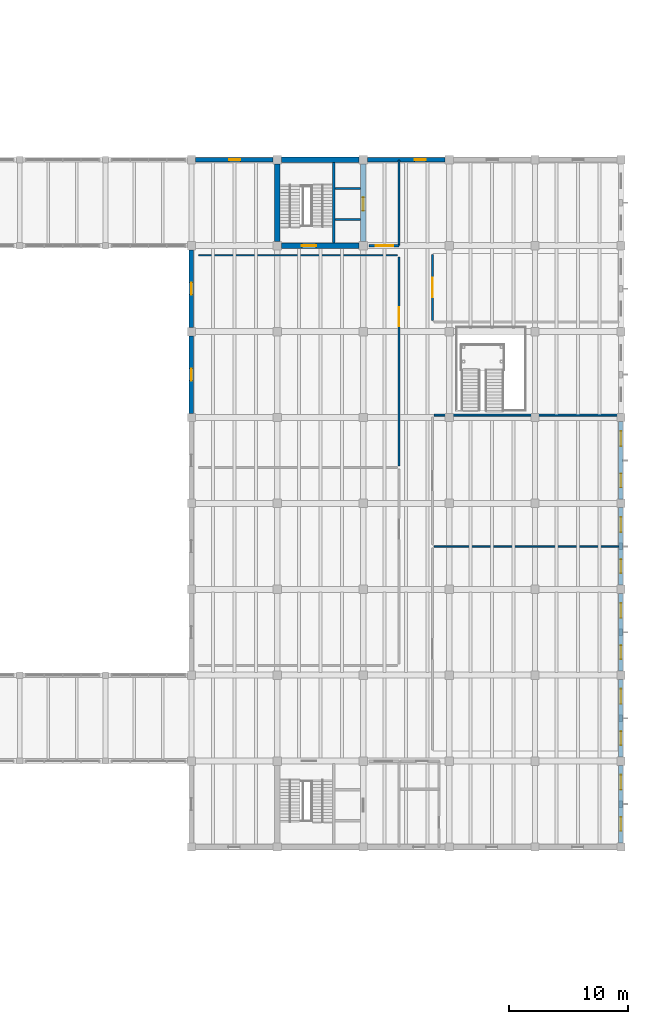
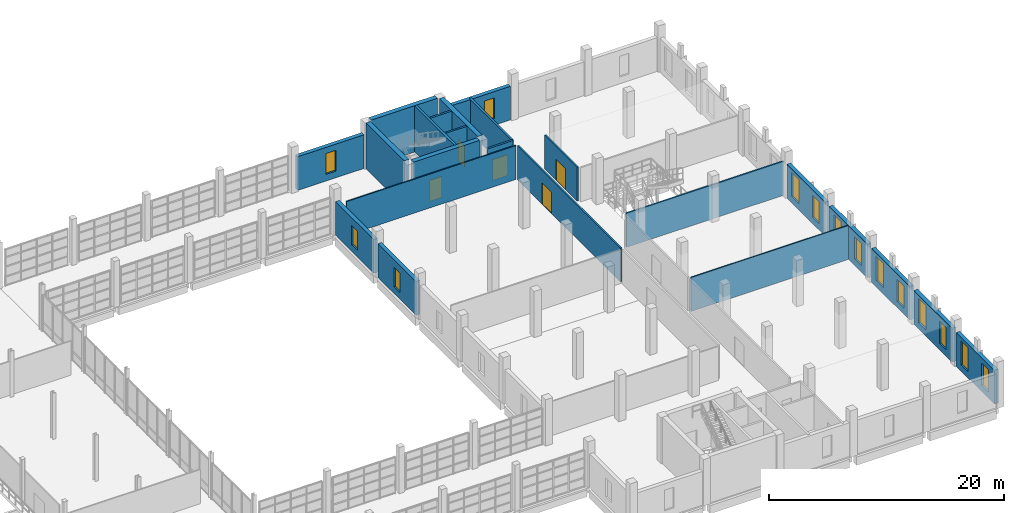
# One storey, part 70 of 77: 23 walls, 14 windows, 5 doors, 19 openings.
"""IFC4 building model written with IfcOpenShell, lengths in metres."""

from ifc_helpers import new_model, si_unit, direction, frame, frame_2d, origin, place, context, subcontext, project, spatial, rectangle, extrude, material, layer, layer_set, type_object, element, fill, save


model = new_model("IFC4")

# Units and contexts
model_context = context("Model", 3, precision=1e-05, world=origin(), true_north=direction((0.0, 1.0)))
body_context = subcontext(model_context, "Body", "Model", "MODEL_VIEW")
ifc_project = project(units=[si_unit("LENGTHUNIT", "METRE"), si_unit("AREAUNIT", "SQUARE_METRE"), si_unit("VOLUMEUNIT", "CUBIC_METRE"), si_unit("PLANEANGLEUNIT", "RADIAN"), si_unit("MASSUNIT", "GRAM", prefix="KILO")], contexts=[model_context])

# Site, building, storey
site_placement = place(None, origin())
site = spatial("IfcSite", under=ifc_project, at=site_placement, CompositionType="ELEMENT")
building_placement = place(site_placement, origin())
building = spatial("IfcBuilding", under=site, at=building_placement, Name="Qiaolan Assembly House", CompositionType="ELEMENT")
storey_placement = place(building_placement, frame((0.0, 0.0, 5.39990234375)))
storey = spatial("IfcBuildingStorey", under=building, at=storey_placement, Name="L01", CompositionType="ELEMENT", Elevation=5.39990234375)

# Wall, opening, door
ifc_material_1 = material(Name="Concrete C50/60", Category="concrete")
ifc_layer_1 = layer(ifc_material_1, 0.449951171875)
ifc_layer_set_1 = layer_set([ifc_layer_1], Name="Concrete C50/60")
wall_type_1 = type_object("IfcWallType", Name="WAL-CORE-450", PredefinedType="SHEAR", material=ifc_layer_set_1)
wall_1_placement = place(storey_placement, frame((144.35009765625, 79.199951171875, 0.0), z_axis=(0.0, 0.0, 1.0), x_axis=(1.0, 0.0, 0.0)))
wall_1 = element("IfcWall", 1, at=wall_1_placement, inside=storey, type_object=wall_type_1, Name="CW-450 shear core wall CORE-F S L01", PredefinedType="SHEAR", context=body_context, shape_type="SweptSolid", body=[
    extrude(rectangle(XDim=6.5, YDim=0.449951171875, at=frame_2d((3.25, 0.0))), origin(), (0.0, 0.0, 1.0), 4.800048828125),
])
opening_1_placement = place(wall_1_placement, frame((1.699951171875, 0.0, 0.0)))
opening_1 = element("IfcOpeningElement", 2, at=opening_1_placement, cuts=wall_1, Name="Opening FD-129", PredefinedType="OPENING", context=body_context, shape_type="SweptSolid", body=[
    extrude(rectangle(XDim=1.199951171875, YDim=2.199951171875, at=frame_2d((0.60009765625, 1.10009765625))), frame((0.0, 0.23486328125, 0.0), z_axis=(0.0, -1.0, 0.0), x_axis=(1.0, 0.0, 0.0)), (0.0, 0.0, 1.0), 0.469970703125),
])
ifc_material_2 = material(Name="Steel Q355B", Category="steel")
door_type_1 = type_object("IfcDoorType", Name="DOR-FIRE-FD90-1200", OperationType="NOTDEFINED", PredefinedType="DOOR", material=ifc_material_2)
door_1_placement = place(opening_1_placement, frame((1.199951171875, 0.0, 0.0), z_axis=(0.0, 0.0, 1.0), x_axis=(-1.0, 0.0, 0.0)))
door_1 = element("IfcDoor", 3, at=door_1_placement, inside=storey, type_object=door_type_1, Name="Stairwell fire door FD-129 (CORE-F L01)", OperationType="SINGLE_SWING_RIGHT", OverallHeight=2.199951171875, OverallWidth=1.199951171875, PredefinedType="DOOR", context=body_context, shape_type="SweptSolid", body=[
    extrude(rectangle(XDim=1.199951171875, YDim=2.199951171875, at=frame_2d((0.60009765625, 1.10009765625))), frame((0.0, 0.02490234375, 0.0), z_axis=(0.0, -1.0, 0.0), x_axis=(1.0, 0.0, 0.0)), (0.0, 0.0, 1.0), 0.050048828125),
])
fill(opening_1, door_1)

wall_2_placement = place(storey_placement, frame((151.199951171875, 79.550048828125, 0.0), z_axis=(0.0, 0.0, 1.0), x_axis=(0.0, 1.0, 0.0)))
wall_2 = element("IfcWall", 4, at=wall_2_placement, inside=storey, type_object=wall_type_1, Name="CW-450 shear core wall CORE-F E L01", PredefinedType="SHEAR", context=body_context, shape_type="SweptSolid", body=[
    extrude(rectangle(XDim=6.5, YDim=0.449951171875, at=frame_2d((3.25, 0.0))), origin(), (0.0, 0.0, 1.0), 4.800048828125),
])
opening_2_placement = place(wall_2_placement, frame((2.60009765625, 0.0, 0.0)))
opening_2 = element("IfcOpeningElement", 5, at=opening_2_placement, cuts=wall_2, Name="Opening LD-071", PredefinedType="OPENING", context=body_context, shape_type="SweptSolid", body=[
    extrude(rectangle(XDim=1.10009765625, YDim=2.199951171875, at=frame_2d((0.550048828125, 1.10009765625))), frame((0.0, 0.23486328125, 0.0), z_axis=(0.0, -1.0, 0.0), x_axis=(1.0, 0.0, 0.0)), (0.0, 0.0, 1.0), 0.469970703125),
])
ifc_material_3 = material(Name="Anodised bronze aluminium", Category="aluminium")
door_type_2 = type_object("IfcDoorType", Name="DOR-LIFT-LD1100", OperationType="SLIDING_TO_LEFT", PredefinedType="DOOR", material=ifc_material_3)
door_2_placement = place(opening_2_placement, origin())
door_2 = element("IfcDoor", 6, at=door_2_placement, inside=storey, type_object=door_type_2, Name="Lift landing door LD-071 (LF-10 L01)", OperationType="SLIDING_TO_LEFT", OverallHeight=2.199951171875, OverallWidth=1.10009765625, PredefinedType="DOOR", context=body_context, shape_type="SweptSolid", body=[
    extrude(rectangle(XDim=1.10009765625, YDim=2.199951171875, at=frame_2d((0.550048828125, 1.10009765625))), frame((0.0, 0.02490234375, 0.0), z_axis=(0.0, -1.0, 0.0), x_axis=(1.0, 0.0, 0.0)), (0.0, 0.0, 1.0), 0.050048828125),
])
fill(opening_2, door_2)

# Walls
for number, where, z_axis, x_axis, name in (
    (7, (150.85009765625, 86.39990234375, 0.0), (0.0, 0.0, 1.0), (-1.0, 0.0, 0.0), "CW-450 shear core wall CORE-F N L01"),
    (8, (144.0, 86.050048828125, 0.0), (0.0, 0.0, 1.0), (0.0, -1.0, 0.0), "CW-450 shear core wall CORE-F W L01"),
):
    element("IfcWall", number, at=place(storey_placement, frame(where, z_axis=z_axis, x_axis=x_axis)), inside=storey, type_object=wall_type_1, Name=name, PredefinedType="SHEAR", context=body_context, shape_type="SweptSolid", body=[
        extrude(rectangle(XDim=6.5, YDim=0.449951171875, at=frame_2d((3.25, 0.0))), origin(), (0.0, 0.0, 1.0), 4.800048828125),
    ])

# Wall, openings, windows
ifc_material_4 = material(Name="Honed pale limestone", Category="masonry")
ifc_layer_2 = layer(ifc_material_4, 0.3798828125)
ifc_layer_set_2 = layer_set([ifc_layer_2], Name="Honed pale limestone")
wall_type_2 = type_object("IfcWallType", Name="WAL-EXT-LIB-380", PredefinedType="SOLIDWALL", material=ifc_layer_set_2)
wall_3_placement = place(storey_placement, frame((172.800048828125, 35.652099609375, 0.0), z_axis=(0.0, 0.0, 1.0), x_axis=(0.0, -1.0, 0.0)))
wall_3 = element("IfcWall", 9, at=wall_3_placement, inside=storey, type_object=wall_type_2, Name="Library East avenue wall L01-1", PredefinedType="SOLIDWALL", context=body_context, shape_type="SweptSolid", body=[
    extrude(rectangle(XDim=6.504150390625, YDim=0.3798828125, at=frame_2d((3.251953125, 0.0))), origin(), (0.0, 0.0, 1.0), 3.5),
])
opening_3_placement = place(wall_3_placement, frame((0.802001953125, 0.0, 0.64990234375)))
opening_3 = element("IfcOpeningElement", 10, at=opening_3_placement, cuts=wall_3, Name="Opening WN-426", PredefinedType="OPENING", context=body_context, shape_type="SweptSolid", body=[
    extrude(rectangle(XDim=1.25, YDim=2.5, at=frame_2d((0.625, 1.25))), frame((0.0, 0.199951171875, 0.0), z_axis=(0.0, -1.0, 0.0), x_axis=(1.0, 0.0, 0.0)), (0.0, 0.0, 1.0), 0.39990234375),
])
opening_4_placement = place(wall_3_placement, frame((4.35205078125, 0.0, 0.64990234375)))
opening_4 = element("IfcOpeningElement", 11, at=opening_4_placement, cuts=wall_3, Name="Opening WN-427", PredefinedType="OPENING", context=body_context, shape_type="SweptSolid", body=[
    extrude(rectangle(XDim=1.14990234375, YDim=2.300048828125, at=frame_2d((0.574951171875, 1.14990234375))), frame((0.0, 0.199951171875, 0.0), z_axis=(0.0, -1.0, 0.0), x_axis=(1.0, 0.0, 0.0)), (0.0, 0.0, 1.0), 0.39990234375),
])
ifc_material_5 = material(Name="Low-E double insulating glass", Category="glass")
window_type_1 = type_object("IfcWindowType", Name="WIN-LIB-1250x2500", PartitioningType="DOUBLE_PANEL_VERTICAL", PredefinedType="WINDOW", material=ifc_material_5)
window_1_placement = place(opening_3_placement, origin())
window_1 = element("IfcWindow", 12, at=window_1_placement, inside=storey, type_object=window_type_1, Name="Library reading window WN-426", OverallHeight=2.5, OverallWidth=1.25, PartitioningType="DOUBLE_PANEL_VERTICAL", PredefinedType="WINDOW", context=body_context, shape_type="SweptSolid", body=[
    extrude(rectangle(XDim=1.25, YDim=2.5, at=frame_2d((0.625, 1.25))), frame((0.0, 0.030029296875, 0.0), z_axis=(0.0, -1.0, 0.0), x_axis=(1.0, 0.0, 0.0)), (0.0, 0.0, 1.0), 0.06005859375),
])
fill(opening_3, window_1)
window_type_2 = type_object("IfcWindowType", Name="WIN-LIB-CARREL-1150x2300", PartitioningType="SINGLE_PANEL", PredefinedType="WINDOW", material=ifc_material_5)
window_2_placement = place(opening_4_placement, origin())
window_2 = element("IfcWindow", 13, at=window_2_placement, inside=storey, type_object=window_type_2, Name="Library reading window WN-427", OverallHeight=2.300048828125, OverallWidth=1.14990234375, PartitioningType="SINGLE_PANEL", PredefinedType="WINDOW", context=body_context, shape_type="SweptSolid", body=[
    extrude(rectangle(XDim=1.14990234375, YDim=2.300048828125, at=frame_2d((0.574951171875, 1.14990234375))), frame((0.0, 0.030029296875, 0.0), z_axis=(0.0, -1.0, 0.0), x_axis=(1.0, 0.0, 0.0)), (0.0, 0.0, 1.0), 0.06005859375),
])
fill(opening_4, window_2)

wall_4_placement = place(storey_placement, frame((172.800048828125, 42.85205078125, 0.0), z_axis=(0.0, 0.0, 1.0), x_axis=(0.0, -1.0, 0.0)))
wall_4 = element("IfcWall", 14, at=wall_4_placement, inside=storey, type_object=wall_type_2, Name="Library East avenue wall L01-2", PredefinedType="SOLIDWALL", context=body_context, shape_type="SweptSolid", body=[
    extrude(rectangle(XDim=6.504150390625, YDim=0.3798828125, at=frame_2d((3.251953125, 0.0))), origin(), (0.0, 0.0, 1.0), 3.5),
])
opening_5_placement = place(wall_4_placement, frame((0.802001953125, 0.0, 0.64990234375)))
opening_5 = element("IfcOpeningElement", 15, at=opening_5_placement, cuts=wall_4, Name="Opening WN-429", PredefinedType="OPENING", context=body_context, shape_type="SweptSolid", body=[
    extrude(rectangle(XDim=1.25, YDim=2.5, at=frame_2d((0.625, 1.25))), frame((0.0, 0.199951171875, 0.0), z_axis=(0.0, -1.0, 0.0), x_axis=(1.0, 0.0, 0.0)), (0.0, 0.0, 1.0), 0.39990234375),
])
opening_6_placement = place(wall_4_placement, frame((4.35205078125, 0.0, 0.64990234375)))
opening_6 = element("IfcOpeningElement", 16, at=opening_6_placement, cuts=wall_4, Name="Opening WN-430", PredefinedType="OPENING", context=body_context, shape_type="SweptSolid", body=[
    extrude(rectangle(XDim=1.14990234375, YDim=2.300048828125, at=frame_2d((0.574951171875, 1.14990234375))), frame((0.0, 0.199951171875, 0.0), z_axis=(0.0, -1.0, 0.0), x_axis=(1.0, 0.0, 0.0)), (0.0, 0.0, 1.0), 0.39990234375),
])
window_3_placement = place(opening_5_placement, origin())
window_3 = element("IfcWindow", 17, at=window_3_placement, inside=storey, type_object=window_type_1, Name="Library reading window WN-429", OverallHeight=2.5, OverallWidth=1.25, PartitioningType="DOUBLE_PANEL_VERTICAL", PredefinedType="WINDOW", context=body_context, shape_type="SweptSolid", body=[
    extrude(rectangle(XDim=1.25, YDim=2.5, at=frame_2d((0.625, 1.25))), frame((0.0, 0.030029296875, 0.0), z_axis=(0.0, -1.0, 0.0), x_axis=(1.0, 0.0, 0.0)), (0.0, 0.0, 1.0), 0.06005859375),
])
fill(opening_5, window_3)
window_4_placement = place(opening_6_placement, origin())
window_4 = element("IfcWindow", 18, at=window_4_placement, inside=storey, type_object=window_type_2, Name="Library reading window WN-430", OverallHeight=2.300048828125, OverallWidth=1.14990234375, PartitioningType="SINGLE_PANEL", PredefinedType="WINDOW", context=body_context, shape_type="SweptSolid", body=[
    extrude(rectangle(XDim=1.14990234375, YDim=2.300048828125, at=frame_2d((0.574951171875, 1.14990234375))), frame((0.0, 0.030029296875, 0.0), z_axis=(0.0, -1.0, 0.0), x_axis=(1.0, 0.0, 0.0)), (0.0, 0.0, 1.0), 0.06005859375),
])
fill(opening_6, window_4)

wall_5_placement = place(storey_placement, frame((172.800048828125, 50.052001953125, 0.0), z_axis=(0.0, 0.0, 1.0), x_axis=(0.0, -1.0, 0.0)))
wall_5 = element("IfcWall", 19, at=wall_5_placement, inside=storey, type_object=wall_type_2, Name="Library East avenue wall L01-3", PredefinedType="SOLIDWALL", context=body_context, shape_type="SweptSolid", body=[
    extrude(rectangle(XDim=6.50390625, YDim=0.3798828125, at=frame_2d((3.251953125, 0.0))), origin(), (0.0, 0.0, 1.0), 3.5),
])
opening_7_placement = place(wall_5_placement, frame((0.802001953125, 0.0, 0.64990234375)))
opening_7 = element("IfcOpeningElement", 20, at=opening_7_placement, cuts=wall_5, Name="Opening WN-431", PredefinedType="OPENING", context=body_context, shape_type="SweptSolid", body=[
    extrude(rectangle(XDim=1.25, YDim=2.5, at=frame_2d((0.625, 1.25))), frame((0.0, 0.199951171875, 0.0), z_axis=(0.0, -1.0, 0.0), x_axis=(1.0, 0.0, 0.0)), (0.0, 0.0, 1.0), 0.39990234375),
])
opening_8_placement = place(wall_5_placement, frame((4.35205078125, 0.0, 0.64990234375)))
opening_8 = element("IfcOpeningElement", 21, at=opening_8_placement, cuts=wall_5, Name="Opening WN-432", PredefinedType="OPENING", context=body_context, shape_type="SweptSolid", body=[
    extrude(rectangle(XDim=1.14990234375, YDim=2.300048828125, at=frame_2d((0.574951171875, 1.14990234375))), frame((0.0, 0.199951171875, 0.0), z_axis=(0.0, -1.0, 0.0), x_axis=(1.0, 0.0, 0.0)), (0.0, 0.0, 1.0), 0.39990234375),
])
window_5_placement = place(opening_7_placement, origin())
window_5 = element("IfcWindow", 22, at=window_5_placement, inside=storey, type_object=window_type_1, Name="Library reading window WN-431", OverallHeight=2.5, OverallWidth=1.25, PartitioningType="DOUBLE_PANEL_VERTICAL", PredefinedType="WINDOW", context=body_context, shape_type="SweptSolid", body=[
    extrude(rectangle(XDim=1.25, YDim=2.5, at=frame_2d((0.625, 1.25))), frame((0.0, 0.030029296875, 0.0), z_axis=(0.0, -1.0, 0.0), x_axis=(1.0, 0.0, 0.0)), (0.0, 0.0, 1.0), 0.06005859375),
])
fill(opening_7, window_5)
window_6_placement = place(opening_8_placement, origin())
window_6 = element("IfcWindow", 23, at=window_6_placement, inside=storey, type_object=window_type_2, Name="Library reading window WN-432", OverallHeight=2.300048828125, OverallWidth=1.14990234375, PartitioningType="SINGLE_PANEL", PredefinedType="WINDOW", context=body_context, shape_type="SweptSolid", body=[
    extrude(rectangle(XDim=1.14990234375, YDim=2.300048828125, at=frame_2d((0.574951171875, 1.14990234375))), frame((0.0, 0.030029296875, 0.0), z_axis=(0.0, -1.0, 0.0), x_axis=(1.0, 0.0, 0.0)), (0.0, 0.0, 1.0), 0.06005859375),
])
fill(opening_8, window_6)

wall_6_placement = place(storey_placement, frame((172.800048828125, 57.251953125, 0.0), z_axis=(0.0, 0.0, 1.0), x_axis=(0.0, -1.0, 0.0)))
wall_6 = element("IfcWall", 24, at=wall_6_placement, inside=storey, type_object=wall_type_2, Name="Library East avenue wall L01-4", PredefinedType="SOLIDWALL", context=body_context, shape_type="SweptSolid", body=[
    extrude(rectangle(XDim=6.50390625, YDim=0.3798828125, at=frame_2d((3.251953125, 0.0))), origin(), (0.0, 0.0, 1.0), 3.5),
])
opening_9_placement = place(wall_6_placement, frame((0.802001953125, 0.0, 0.64990234375)))
opening_9 = element("IfcOpeningElement", 25, at=opening_9_placement, cuts=wall_6, Name="Opening WN-434", PredefinedType="OPENING", context=body_context, shape_type="SweptSolid", body=[
    extrude(rectangle(XDim=1.25, YDim=2.5, at=frame_2d((0.625, 1.25))), frame((0.0, 0.199951171875, 0.0), z_axis=(0.0, -1.0, 0.0), x_axis=(1.0, 0.0, 0.0)), (0.0, 0.0, 1.0), 0.39990234375),
])
opening_10_placement = place(wall_6_placement, frame((4.35205078125, 0.0, 0.64990234375)))
opening_10 = element("IfcOpeningElement", 26, at=opening_10_placement, cuts=wall_6, Name="Opening WN-435", PredefinedType="OPENING", context=body_context, shape_type="SweptSolid", body=[
    extrude(rectangle(XDim=1.14990234375, YDim=2.300048828125, at=frame_2d((0.574951171875, 1.14990234375))), frame((0.0, 0.199951171875, 0.0), z_axis=(0.0, -1.0, 0.0), x_axis=(1.0, 0.0, 0.0)), (0.0, 0.0, 1.0), 0.39990234375),
])
window_7_placement = place(opening_9_placement, origin())
window_7 = element("IfcWindow", 27, at=window_7_placement, inside=storey, type_object=window_type_1, Name="Library reading window WN-434", OverallHeight=2.5, OverallWidth=1.25, PartitioningType="DOUBLE_PANEL_VERTICAL", PredefinedType="WINDOW", context=body_context, shape_type="SweptSolid", body=[
    extrude(rectangle(XDim=1.25, YDim=2.5, at=frame_2d((0.625, 1.25))), frame((0.0, 0.030029296875, 0.0), z_axis=(0.0, -1.0, 0.0), x_axis=(1.0, 0.0, 0.0)), (0.0, 0.0, 1.0), 0.06005859375),
])
fill(opening_9, window_7)
window_8_placement = place(opening_10_placement, origin())
window_8 = element("IfcWindow", 28, at=window_8_placement, inside=storey, type_object=window_type_2, Name="Library reading window WN-435", OverallHeight=2.300048828125, OverallWidth=1.14990234375, PartitioningType="SINGLE_PANEL", PredefinedType="WINDOW", context=body_context, shape_type="SweptSolid", body=[
    extrude(rectangle(XDim=1.14990234375, YDim=2.300048828125, at=frame_2d((0.574951171875, 1.14990234375))), frame((0.0, 0.030029296875, 0.0), z_axis=(0.0, -1.0, 0.0), x_axis=(1.0, 0.0, 0.0)), (0.0, 0.0, 1.0), 0.06005859375),
])
fill(opening_10, window_8)

wall_7_placement = place(storey_placement, frame((172.800048828125, 64.451904296875, 0.0), z_axis=(0.0, 0.0, 1.0), x_axis=(0.0, -1.0, 0.0)))
wall_7 = element("IfcWall", 29, at=wall_7_placement, inside=storey, type_object=wall_type_2, Name="Library East avenue wall L01-5", PredefinedType="SOLIDWALL", context=body_context, shape_type="SweptSolid", body=[
    extrude(rectangle(XDim=6.50390625, YDim=0.3798828125, at=frame_2d((3.251953125, 0.0))), origin(), (0.0, 0.0, 1.0), 3.5),
])
opening_11_placement = place(wall_7_placement, frame((0.802001953125, 0.0, 0.64990234375)))
opening_11 = element("IfcOpeningElement", 30, at=opening_11_placement, cuts=wall_7, Name="Opening WN-437", PredefinedType="OPENING", context=body_context, shape_type="SweptSolid", body=[
    extrude(rectangle(XDim=1.25, YDim=2.5, at=frame_2d((0.625, 1.25))), frame((0.0, 0.199951171875, 0.0), z_axis=(0.0, -1.0, 0.0), x_axis=(1.0, 0.0, 0.0)), (0.0, 0.0, 1.0), 0.39990234375),
])
opening_12_placement = place(wall_7_placement, frame((4.35205078125, 0.0, 0.64990234375)))
opening_12 = element("IfcOpeningElement", 31, at=opening_12_placement, cuts=wall_7, Name="Opening WN-438", PredefinedType="OPENING", context=body_context, shape_type="SweptSolid", body=[
    extrude(rectangle(XDim=1.14990234375, YDim=2.300048828125, at=frame_2d((0.574951171875, 1.14990234375))), frame((0.0, 0.199951171875, 0.0), z_axis=(0.0, -1.0, 0.0), x_axis=(1.0, 0.0, 0.0)), (0.0, 0.0, 1.0), 0.39990234375),
])
window_9_placement = place(opening_11_placement, origin())
window_9 = element("IfcWindow", 32, at=window_9_placement, inside=storey, type_object=window_type_1, Name="Library reading window WN-437", OverallHeight=2.5, OverallWidth=1.25, PartitioningType="DOUBLE_PANEL_VERTICAL", PredefinedType="WINDOW", context=body_context, shape_type="SweptSolid", body=[
    extrude(rectangle(XDim=1.25, YDim=2.5, at=frame_2d((0.625, 1.25))), frame((0.0, 0.030029296875, 0.0), z_axis=(0.0, -1.0, 0.0), x_axis=(1.0, 0.0, 0.0)), (0.0, 0.0, 1.0), 0.06005859375),
])
fill(opening_11, window_9)
window_10_placement = place(opening_12_placement, origin())
window_10 = element("IfcWindow", 33, at=window_10_placement, inside=storey, type_object=window_type_2, Name="Library reading window WN-438", OverallHeight=2.300048828125, OverallWidth=1.14990234375, PartitioningType="SINGLE_PANEL", PredefinedType="WINDOW", context=body_context, shape_type="SweptSolid", body=[
    extrude(rectangle(XDim=1.14990234375, YDim=2.300048828125, at=frame_2d((0.574951171875, 1.14990234375))), frame((0.0, 0.030029296875, 0.0), z_axis=(0.0, -1.0, 0.0), x_axis=(1.0, 0.0, 0.0)), (0.0, 0.0, 1.0), 0.06005859375),
])
fill(opening_12, window_10)

# Wall, opening, window
wall_8_placement = place(storey_placement, frame((136.800048828125, 65.14794921875, 0.0), z_axis=(0.0, 0.0, 1.0), x_axis=(0.0, 1.0, 0.0)))
wall_8 = element("IfcWall", 34, at=wall_8_placement, inside=storey, type_object=wall_type_2, Name="Library West court wall L01-6", PredefinedType="SOLIDWALL", context=body_context, shape_type="SweptSolid", body=[
    extrude(rectangle(XDim=6.504150390625, YDim=0.3798828125, at=frame_2d((3.251953125, 0.0))), origin(), (0.0, 0.0, 1.0), 3.5),
])
opening_13_placement = place(wall_8_placement, frame((2.751953125, 0.0, 0.699951171875)))
opening_13 = element("IfcOpeningElement", 35, at=opening_13_placement, cuts=wall_8, Name="Opening WN-442", PredefinedType="OPENING", context=body_context, shape_type="SweptSolid", body=[
    extrude(rectangle(XDim=1.0, YDim=2.0, at=frame_2d((0.5, 1.0))), frame((0.0, 0.199951171875, 0.0), z_axis=(0.0, -1.0, 0.0), x_axis=(1.0, 0.0, 0.0)), (0.0, 0.0, 1.0), 0.39990234375),
])
window_type_3 = type_object("IfcWindowType", Name="WIN-LIB-ARCH-1000x2000", PartitioningType="SINGLE_PANEL", PredefinedType="WINDOW", material=ifc_material_5)
window_11_placement = place(opening_13_placement, origin())
window_11 = element("IfcWindow", 36, at=window_11_placement, inside=storey, type_object=window_type_3, Name="Library courtyard window WN-442", OverallHeight=2.0, OverallWidth=1.0, PartitioningType="SINGLE_PANEL", PredefinedType="WINDOW", context=body_context, shape_type="SweptSolid", body=[
    extrude(rectangle(XDim=1.0, YDim=2.0, at=frame_2d((0.5, 1.0))), frame((0.0, 0.030029296875, 0.0), z_axis=(0.0, -1.0, 0.0), x_axis=(1.0, 0.0, 0.0)), (0.0, 0.0, 1.0), 0.06005859375),
])
fill(opening_13, window_11)

wall_9_placement = place(storey_placement, frame((136.800048828125, 72.347900390625, 0.0), z_axis=(0.0, 0.0, 1.0), x_axis=(0.0, 1.0, 0.0)))
wall_9 = element("IfcWall", 37, at=wall_9_placement, inside=storey, type_object=wall_type_2, Name="Library West court wall L01-7", PredefinedType="SOLIDWALL", context=body_context, shape_type="SweptSolid", body=[
    extrude(rectangle(XDim=6.504150390625, YDim=0.3798828125, at=frame_2d((3.251953125, 0.0))), origin(), (0.0, 0.0, 1.0), 3.5),
])
opening_14_placement = place(wall_9_placement, frame((2.751953125, 0.0, 0.699951171875)))
opening_14 = element("IfcOpeningElement", 38, at=opening_14_placement, cuts=wall_9, Name="Opening WN-445", PredefinedType="OPENING", context=body_context, shape_type="SweptSolid", body=[
    extrude(rectangle(XDim=1.0, YDim=2.0, at=frame_2d((0.5, 1.0))), frame((0.0, 0.199951171875, 0.0), z_axis=(0.0, -1.0, 0.0), x_axis=(1.0, 0.0, 0.0)), (0.0, 0.0, 1.0), 0.39990234375),
])
window_12_placement = place(opening_14_placement, origin())
window_12 = element("IfcWindow", 39, at=window_12_placement, inside=storey, type_object=window_type_3, Name="Library courtyard window WN-445", OverallHeight=2.0, OverallWidth=1.0, PartitioningType="SINGLE_PANEL", PredefinedType="WINDOW", context=body_context, shape_type="SweptSolid", body=[
    extrude(rectangle(XDim=1.0, YDim=2.0, at=frame_2d((0.5, 1.0))), frame((0.0, 0.030029296875, 0.0), z_axis=(0.0, -1.0, 0.0), x_axis=(1.0, 0.0, 0.0)), (0.0, 0.0, 1.0), 0.06005859375),
])
fill(opening_14, window_12)

wall_10_placement = place(storey_placement, frame((143.652099609375, 86.39990234375, 0.0), z_axis=(0.0, 0.0, 1.0), x_axis=(-1.0, 0.0, 0.0)))
wall_10 = element("IfcWall", 40, at=wall_10_placement, inside=storey, type_object=wall_type_2, Name="Library North wall L01-1", PredefinedType="SOLIDWALL", context=body_context, shape_type="SweptSolid", body=[
    extrude(rectangle(XDim=6.504150390625, YDim=0.3798828125, at=frame_2d((3.251953125, 0.0))), origin(), (0.0, 0.0, 1.0), 3.5),
])
opening_15_placement = place(wall_10_placement, frame((2.751953125, 0.0, 0.699951171875)))
opening_15 = element("IfcOpeningElement", 41, at=opening_15_placement, cuts=wall_10, Name="Opening WN-449", PredefinedType="OPENING", context=body_context, shape_type="SweptSolid", body=[
    extrude(rectangle(XDim=0.949951171875, YDim=2.14990234375, at=frame_2d((0.47509765625, 1.074951171875))), frame((0.0, 0.199951171875, 0.0), z_axis=(0.0, -1.0, 0.0), x_axis=(1.0, 0.0, 0.0)), (0.0, 0.0, 1.0), 0.39990234375),
])
window_type_4 = type_object("IfcWindowType", Name="WIN-PUNCH-950x2150", PartitioningType="SINGLE_PANEL", PredefinedType="WINDOW", material=ifc_material_5)
window_13_placement = place(opening_15_placement, origin())
window_13 = element("IfcWindow", 42, at=window_13_placement, inside=storey, type_object=window_type_4, Name="Library North window WN-449", OverallHeight=2.14990234375, OverallWidth=0.949951171875, PartitioningType="SINGLE_PANEL", PredefinedType="WINDOW", context=body_context, shape_type="SweptSolid", body=[
    extrude(rectangle(XDim=0.949951171875, YDim=2.14990234375, at=frame_2d((0.47509765625, 1.074951171875))), frame((0.0, 0.030029296875, 0.0), z_axis=(0.0, -1.0, 0.0), x_axis=(1.0, 0.0, 0.0)), (0.0, 0.0, 1.0), 0.06005859375),
])
fill(opening_15, window_13)

wall_11_placement = place(storey_placement, frame((158.052001953125, 86.39990234375, 0.0), z_axis=(0.0, 0.0, 1.0), x_axis=(-1.0, 0.0, 0.0)))
wall_11 = element("IfcWall", 43, at=wall_11_placement, inside=storey, type_object=wall_type_2, Name="Library North wall L01-3", PredefinedType="SOLIDWALL", context=body_context, shape_type="SweptSolid", body=[
    extrude(rectangle(XDim=6.50390625, YDim=0.3798828125, at=frame_2d((3.251953125, 0.0))), origin(), (0.0, 0.0, 1.0), 3.5),
])
opening_16_placement = place(wall_11_placement, frame((1.595947265625, 0.0, 0.699951171875)))
opening_16 = element("IfcOpeningElement", 44, at=opening_16_placement, cuts=wall_11, Name="Opening WN-451", PredefinedType="OPENING", context=body_context, shape_type="SweptSolid", body=[
    extrude(rectangle(XDim=0.949951171875, YDim=2.14990234375, at=frame_2d((0.47509765625, 1.074951171875))), frame((0.0, 0.199951171875, 0.0), z_axis=(0.0, -1.0, 0.0), x_axis=(1.0, 0.0, 0.0)), (0.0, 0.0, 1.0), 0.39990234375),
])
window_14_placement = place(opening_16_placement, origin())
window_14 = element("IfcWindow", 45, at=window_14_placement, inside=storey, type_object=window_type_4, Name="Library North window WN-451", OverallHeight=2.14990234375, OverallWidth=0.949951171875, PartitioningType="SINGLE_PANEL", PredefinedType="WINDOW", context=body_context, shape_type="SweptSolid", body=[
    extrude(rectangle(XDim=0.949951171875, YDim=2.14990234375, at=frame_2d((0.47509765625, 1.074951171875))), frame((0.0, 0.030029296875, 0.0), z_axis=(0.0, -1.0, 0.0), x_axis=(1.0, 0.0, 0.0)), (0.0, 0.0, 1.0), 0.06005859375),
])
fill(opening_16, window_14)

# Wall
ifc_material_6 = material(Name="Concrete C35/45", Category="concrete")
ifc_layer_3 = layer(ifc_material_6, 0.199951171875)
ifc_layer_set_3 = layer_set([ifc_layer_3], Name="Concrete C35/45")
wall_type_3 = type_object("IfcWallType", Name="WAL-LOBBY-200", PredefinedType="PARTITIONING", material=ifc_layer_set_3)
wall_12_placement = place(storey_placement, frame((154.199951171875, 79.199951171875, 0.0), z_axis=(0.0, 0.0, 1.0), x_axis=(0.0, 1.0, 0.0)))
element("IfcWall", 46, at=wall_12_placement, inside=storey, type_object=wall_type_3, Name="Firefighting lift lobby east wall CORE-F L01", PredefinedType="PARTITIONING", context=body_context, shape_type="SweptSolid", body=[
    extrude(rectangle(XDim=7.199951171875, YDim=0.199951171875, at=frame_2d((3.60009765625, 0.0))), origin(), (0.0, 0.0, 1.0), 3.52001953125),
])

# Wall, opening, door
wall_13_placement = place(storey_placement, frame((151.679931640625, 79.199951171875, 0.0), z_axis=(0.0, 0.0, 1.0), x_axis=(1.0, 0.0, 0.0)))
wall_13 = element("IfcWall", 47, at=wall_13_placement, inside=storey, type_object=wall_type_3, Name="Firefighting lift lobby south wall CORE-F L01", PredefinedType="PARTITIONING", context=body_context, shape_type="SweptSolid", body=[
    extrude(rectangle(XDim=2.52001953125, YDim=0.199951171875, at=frame_2d((1.260009765625, 0.0))), origin(), (0.0, 0.0, 1.0), 3.52001953125),
])
opening_17_placement = place(wall_13_placement, frame((0.550048828125, 0.0, 0.0)))
opening_17 = element("IfcOpeningElement", 48, at=opening_17_placement, cuts=wall_13, Name="Opening FD-130", PredefinedType="OPENING", context=body_context, shape_type="SweptSolid", body=[
    extrude(rectangle(XDim=1.5, YDim=2.199951171875, at=frame_2d((0.75, 1.10009765625))), frame((0.0, 0.10986328125, 0.0), z_axis=(0.0, -1.0, 0.0), x_axis=(1.0, 0.0, 0.0)), (0.0, 0.0, 1.0), 0.219970703125),
])
ifc_material_7 = material(Name="Acoustic oak panelling")
door_type_3 = type_object("IfcDoorType", Name="DOR-LOBBY-FD60-1500", OperationType="DOUBLE_DOOR_SINGLE_SWING", PredefinedType="DOOR", material=ifc_material_7)
door_3_placement = place(opening_17_placement, frame((1.5, 0.0, 0.0), z_axis=(0.0, 0.0, 1.0), x_axis=(-1.0, 0.0, 0.0)))
door_3 = element("IfcDoor", 49, at=door_3_placement, inside=storey, type_object=door_type_3, Name="Lobby corridor fire door FD-130", OperationType="DOUBLE_DOOR_SINGLE_SWING", OverallHeight=2.199951171875, OverallWidth=1.5, PredefinedType="DOOR", context=body_context, shape_type="SweptSolid", body=[
    extrude(rectangle(XDim=1.5, YDim=2.199951171875, at=frame_2d((0.75, 1.10009765625))), frame((0.0, 0.02490234375, 0.0), z_axis=(0.0, -1.0, 0.0), x_axis=(1.0, 0.0, 0.0)), (0.0, 0.0, 1.0), 0.050048828125),
])
fill(opening_17, door_3)

# Walls
ifc_material_8 = material(Name="Gypsum plasterboard partition")
ifc_layer_4 = layer(ifc_material_8, 0.1201171875)
ifc_layer_set_4 = layer_set([ifc_layer_4], Name="Gypsum plasterboard partition")
wall_type_4 = type_object("IfcWallType", Name="WAL-PART-120", PredefinedType="PARTITIONING", material=ifc_layer_set_4)
wall_14_placement = place(storey_placement, frame((137.39990234375, 78.39990234375, 0.0), z_axis=(0.0, 0.0, 1.0), x_axis=(1.0, 0.0, 0.0)))
element("IfcWall", 50, at=wall_14_placement, inside=storey, type_object=wall_type_4, Name="Municipal Legal Reference Stacks L01 end wall", PredefinedType="PARTITIONING", context=body_context, shape_type="SweptSolid", body=[
    extrude(rectangle(XDim=16.650146484375, YDim=0.1201171875, at=frame_2d((8.3251953125, 0.0))), origin(), (0.0, 0.0, 1.0), 3.52001953125),
])
wall_15_placement = place(storey_placement, frame((157.14990234375, 54.0, 0.0), z_axis=(0.0, 0.0, 1.0), x_axis=(1.0, 0.0, 0.0)))
element("IfcWall", 51, at=wall_15_placement, inside=storey, type_object=wall_type_4, Name="Legislative History & Constitutional Stacks demising wall", PredefinedType="PARTITIONING", context=body_context, shape_type="SweptSolid", body=[
    extrude(rectangle(XDim=15.47021484375, YDim=0.1201171875, at=frame_2d((7.735107421875, 0.0))), origin(), (0.0, 0.0, 1.0), 3.52001953125),
])

# Wall, opening, door
ifc_layer_5 = layer(ifc_material_8, 0.14990234375)
ifc_layer_set_5 = layer_set([ifc_layer_5], Name="Gypsum plasterboard partition")
wall_type_5 = type_object("IfcWallType", Name="WAL-PART-150", PredefinedType="PARTITIONING", material=ifc_layer_set_5)
wall_16_placement = place(storey_placement, frame((154.199951171875, 78.25, 0.0), z_axis=(0.0, 0.0, 1.0), x_axis=(0.0, -1.0, 0.0)))
wall_16 = element("IfcWall", 52, at=wall_16_placement, inside=storey, type_object=wall_type_5, Name="Municipal Legal Reference Stacks L01 corridor wall", PredefinedType="PARTITIONING", context=body_context, shape_type="SweptSolid", body=[
    extrude(rectangle(XDim=17.5, YDim=0.14990234375, at=frame_2d((8.75, 0.0))), origin(), (0.0, 0.0, 1.0), 3.52001953125),
])
opening_18_placement = place(wall_16_placement, frame((4.199951171875, 0.0, 0.0)))
opening_18 = element("IfcOpeningElement", 53, at=opening_18_placement, cuts=wall_16, Name="Opening MD-280", PredefinedType="OPENING", context=body_context, shape_type="SweptSolid", body=[
    extrude(rectangle(XDim=1.60009765625, YDim=2.199951171875, at=frame_2d((0.800048828125, 1.10009765625))), frame((0.0, 0.0849609375, 0.0), z_axis=(0.0, -1.0, 0.0), x_axis=(1.0, 0.0, 0.0)), (0.0, 0.0, 1.0), 0.169921875),
])
door_type_4 = type_object("IfcDoorType", Name="DOR-COMM-DBL-1600", OperationType="DOUBLE_DOOR_SINGLE_SWING", PredefinedType="DOOR", material=ifc_material_7)
door_4_placement = place(opening_18_placement, origin())
door_4 = element("IfcDoor", 54, at=door_4_placement, inside=storey, type_object=door_type_4, Name="Municipal Legal Reference Stacks L01 door MD-280", OperationType="DOUBLE_DOOR_SINGLE_SWING", OverallHeight=2.199951171875, OverallWidth=1.60009765625, PredefinedType="DOOR", context=body_context, shape_type="SweptSolid", body=[
    extrude(rectangle(XDim=1.60009765625, YDim=2.199951171875, at=frame_2d((0.800048828125, 1.10009765625))), frame((0.0, 0.02490234375, 0.0), z_axis=(0.0, -1.0, 0.0), x_axis=(1.0, 0.0, 0.0)), (0.0, 0.0, 1.0), 0.050048828125),
])
fill(opening_18, door_4)

wall_17_placement = place(storey_placement, frame((157.0, 72.949951171875, 0.0), z_axis=(0.0, 0.0, 1.0), x_axis=(0.0, 1.0, 0.0)))
wall_17 = element("IfcWall", 55, at=wall_17_placement, inside=storey, type_object=wall_type_5, Name="Parliamentary Research & Carrel Seminar Room corridor wall", PredefinedType="PARTITIONING", context=body_context, shape_type="SweptSolid", body=[
    extrude(rectangle(XDim=5.5, YDim=0.14990234375, at=frame_2d((2.75, 0.0))), origin(), (0.0, 0.0, 1.0), 3.52001953125),
])
opening_19_placement = place(wall_17_placement, frame((1.949951171875, 0.0, 0.0)))
opening_19 = element("IfcOpeningElement", 56, at=opening_19_placement, cuts=wall_17, Name="Opening MD-283", PredefinedType="OPENING", context=body_context, shape_type="SweptSolid", body=[
    extrude(rectangle(XDim=1.60009765625, YDim=2.199951171875, at=frame_2d((0.800048828125, 1.10009765625))), frame((0.0, 0.0849609375, 0.0), z_axis=(0.0, -1.0, 0.0), x_axis=(1.0, 0.0, 0.0)), (0.0, 0.0, 1.0), 0.169921875),
])
door_5_placement = place(opening_19_placement, origin())
door_5 = element("IfcDoor", 57, at=door_5_placement, inside=storey, type_object=door_type_4, Name="Parliamentary Research & Carrel Seminar Room door MD-283", OperationType="DOUBLE_DOOR_SINGLE_SWING", OverallHeight=2.199951171875, OverallWidth=1.60009765625, PredefinedType="DOOR", context=body_context, shape_type="SweptSolid", body=[
    extrude(rectangle(XDim=1.60009765625, YDim=2.199951171875, at=frame_2d((0.800048828125, 1.10009765625))), frame((0.0, 0.02490234375, 0.0), z_axis=(0.0, -1.0, 0.0), x_axis=(1.0, 0.0, 0.0)), (0.0, 0.0, 1.0), 0.050048828125),
])
fill(opening_19, door_5)

# Walls
wall_18_placement = place(storey_placement, frame((157.14990234375, 65.0, 0.0), z_axis=(0.0, 0.0, 1.0), x_axis=(1.0, 0.0, 0.0)))
element("IfcWall", 58, at=wall_18_placement, inside=storey, type_object=wall_type_5, Name="Reading well south wall", PredefinedType="PARTITIONING", context=body_context, shape_type="SweptSolid", body=[
    extrude(rectangle(XDim=15.47021484375, YDim=0.14990234375, at=frame_2d((7.735107421875, 0.0))), origin(), (0.0, 0.0, 1.0), 3.52001953125),
])
ifc_layer_6 = layer(ifc_material_6, 0.18505859375)
ifc_layer_set_6 = layer_set([ifc_layer_6], Name="Concrete C35/45")
wall_type_6 = type_object("IfcWallType", Name="WAL-SHAFT-200", PredefinedType="PARTITIONING", material=ifc_layer_set_6)
for number, where, z_axis, x_axis, name in (
    (59, (148.85009765625, 81.39990234375, 0.0), (0.0, 0.0, 1.0), (1.0, 0.0, 0.0), "SW-200 lift shaft wall LF-10 L01 DIVS"),
    (60, (148.85009765625, 84.0, 0.0), (0.0, 0.0, 1.0), (1.0, 0.0, 0.0), "SW-200 lift shaft wall LF-10 L01 DIVN"),
):
    element("IfcWall", number, at=place(storey_placement, frame(where, z_axis=z_axis, x_axis=x_axis)), inside=storey, type_object=wall_type_6, Name=name, PredefinedType="PARTITIONING", context=body_context, shape_type="SweptSolid", body=[
        extrude(rectangle(XDim=2.099853515625, YDim=0.18505859375, at=frame_2d((1.0498046875, 0.0))), origin(), (0.0, 0.0, 1.0), 4.800048828125),
    ])
ifc_material_9 = material(Name="Concrete C40/50", Category="concrete")
ifc_layer_7 = layer(ifc_material_9, 0.22509765625)
ifc_layer_set_7 = layer_set([ifc_layer_7], Name="Concrete C40/50")
wall_type_7 = type_object("IfcWallType", Name="WAL-STAIR-DIV-225", PredefinedType="SHEAR", material=ifc_layer_set_7)
wall_19_placement = place(storey_placement, frame((148.719970703125, 79.419921875, 0.0), z_axis=(0.0, 0.0, 1.0), x_axis=(0.0, 1.0, 0.0)))
element("IfcWall", 61, at=wall_19_placement, inside=storey, type_object=wall_type_7, Name="SDW-225 stairwell structural spine wall CORE-F L01", PredefinedType="SHEAR", context=body_context, shape_type="SweptSolid", body=[
    extrude(rectangle(XDim=6.760009765625, YDim=0.22509765625, at=frame_2d((3.3798828125, 0.0))), origin(), (0.0, 0.0, 1.0), 4.800048828125),
])

save(model, "model.ifc")
